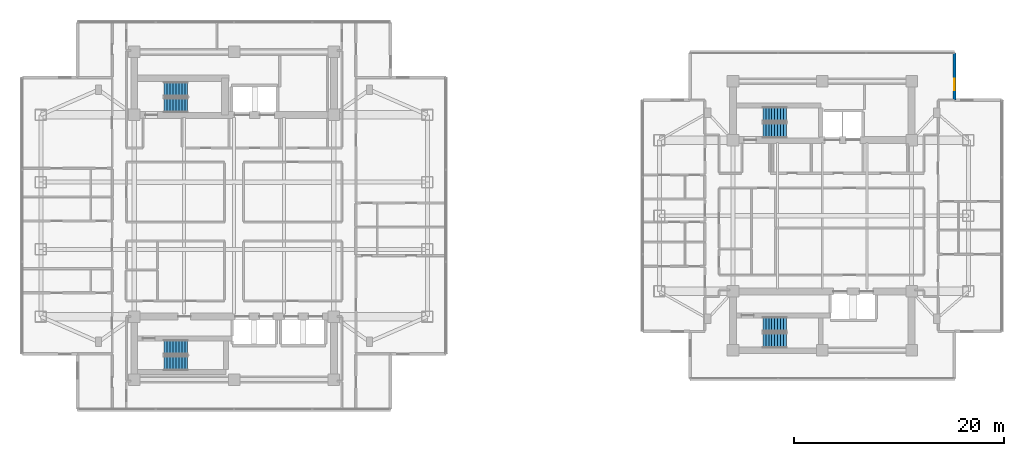
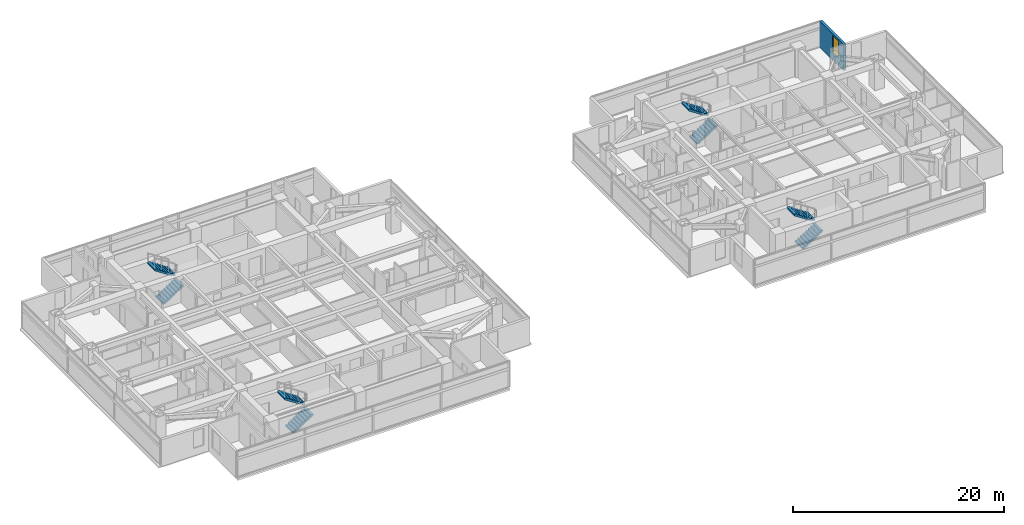
# One storey, part 20 of 26: 8 stair flights, 1 wall, 1 window, 1 opening, 4 elements without a shape of their own.
"""IFC4 building model written with IfcOpenShell, lengths in metres."""

from ifc_helpers import new_model, si_unit, direction, frame, frame_2d, origin, place, context, subcontext, project, spatial, polyline, rectangle, outline, extrude, material, layer, layer_set, type_object, element, fill, aggregate, save


model = new_model("IFC4")

# Units and contexts
model_context = context("Model", 3, precision=1e-05, world=origin(), true_north=direction((0.0, 1.0)))
body_context = subcontext(model_context, "Body", "Model", "MODEL_VIEW")
ifc_project = project(units=[si_unit("LENGTHUNIT", "METRE"), si_unit("AREAUNIT", "SQUARE_METRE"), si_unit("VOLUMEUNIT", "CUBIC_METRE"), si_unit("PLANEANGLEUNIT", "RADIAN"), si_unit("MASSUNIT", "GRAM", prefix="KILO")], contexts=[model_context])

# Site, building, storey
site_placement = place(None, origin())
site = spatial("IfcSite", under=ifc_project, at=site_placement, CompositionType="ELEMENT")
building_placement = place(site_placement, origin())
building = spatial("IfcBuilding", under=site, at=building_placement, Name="Mirazonda Arch Towers", CompositionType="ELEMENT")
storey_placement = place(building_placement, frame((0.0, 0.0, 121.39990234375)))
storey = spatial("IfcBuildingStorey", under=building, at=storey_placement, Name="L34", CompositionType="ELEMENT", Elevation=121.39990234375)

# Wall, opening, window
ifc_material_1 = material(Name="Precast Concrete C40/50", Category="concrete")
ifc_layer = layer(ifc_material_1, 0.280029296875, Name="WALL-EXT-WALL-280")
ifc_layer_set = layer_set([ifc_layer], Name="Precast Concrete C40/50")
wall_type = type_object("IfcWallType", Name="WALL-EXT-WALL-280", PredefinedType="SOLIDWALL", material=ifc_layer_set)
wall_placement = place(storey_placement, frame((89.096435546875, 39.015869140625, 0.0), z_axis=(0.0, 0.0, 1.0), x_axis=(0.0, 1.0, 0.0)))
wall = element("IfcWall", 1, at=wall_placement, inside=storey, type_object=wall_type, Name="L34 T2 Notched NE Corner Wall WL-L34-T2-CNE", PredefinedType="SOLIDWALL", context=body_context, shape_type="SweptSolid", body=[
    extrude(rectangle(XDim=4.486328125, YDim=0.280029296875, at=frame_2d((2.2431640625, 0.0))), origin(), (0.0, 0.0, 1.0), 3.06005859375),
])
opening_placement = place(wall_placement, frame((0.949951171875, 0.0, 0.85009765625)))
opening = element("IfcOpeningElement", 2, at=opening_placement, cuts=wall, Name="Opening WN-108", PredefinedType="OPENING", context=body_context, shape_type="SweptSolid", body=[
    extrude(rectangle(XDim=1.10009765625, YDim=2.0, at=frame_2d((0.550048828125, 1.0))), frame((0.0, 0.14990234375, 0.0), z_axis=(0.0, -1.0, 0.0), x_axis=(1.0, 0.0, 0.0)), (0.0, 0.0, 1.0), 0.300048828125),
])
ifc_material_2 = material(Name="Insulated Low-E Solar Glass", Category="glass")
window_type = type_object("IfcWindowType", Name="WIN-NOTCH-1100x2000", PartitioningType="SINGLE_PANEL", PredefinedType="WINDOW", material=ifc_material_2)
window_placement = place(opening_placement, origin())
window = element("IfcWindow", 3, at=window_placement, inside=storey, type_object=window_type, Name="L34 Punched Facade Window WN-L34-T2-CNE", OverallHeight=2.0, OverallWidth=1.10009765625, PartitioningType="SINGLE_PANEL", PredefinedType="WINDOW", context=body_context, shape_type="SweptSolid", body=[
    extrude(rectangle(XDim=1.10009765625, YDim=2.0, at=frame_2d((0.550048828125, 1.0))), frame((0.0, 0.030029296875, 0.0), z_axis=(0.0, -1.0, 0.0), x_axis=(1.0, 0.0, 0.0)), (0.0, 0.0, 1.0), 0.06005859375),
])
fill(opening, window)

# Stair, stair flights
ifc_material_3 = material(Name="Concrete C40/50", Category="concrete")
stair_type = type_object("IfcStairType", Name="STAIR-CORE-1400", PredefinedType="HALF_TURN_STAIR", material=ifc_material_3)
stair_1_placement = place(storey_placement, origin())
stair_1 = element("IfcStair", 4, at=stair_1_placement, inside=storey, type_object=stair_type, Name="L34 Protected Exit Stair ST-T1N", PredefinedType="HALF_TURN_STAIR")
stair_flight_type = type_object("IfcStairFlightType", Name="FLIGHT-1400", PredefinedType="STRAIGHT", material=ifc_material_3)
stair_flight_1_placement = place(storey_placement, frame((13.85009765625, 38.52001953125, 0.0), z_axis=(0.0, 0.0, 1.0), x_axis=(1.0, 0.0, 0.0)))
stair_flight_1 = element("IfcStairFlight", 5, at=stair_flight_1_placement, type_object=stair_flight_type, Name="ST-T1N flight 1", NumberOfRisers=9, NumberOfTreads=8, PredefinedType="STRAIGHT", RiserHeight=0.183333333, TreadLength=0.28, context=body_context, shape_type="SweptSolid", body=[
    extrude(outline(polyline([(0.0, 0.0), (0.0, 0.183349609375), (0.280029296875, 0.183349609375), (0.280029296875, 0.36669921875), (0.56005859375, 0.36669921875), (0.56005859375, 0.550048828125), (0.840087890625, 0.550048828125), (0.840087890625, 0.7333984375), (1.1201171875, 0.7333984375), (1.1201171875, 0.916748046875), (1.39990234375, 0.916748046875), (1.39990234375, 1.10009765625), (1.679931640625, 1.10009765625), (1.679931640625, 1.283447265625), (1.9599609375, 1.283447265625), (1.9599609375, 1.466552734375), (2.239990234375, 1.466552734375), (2.239990234375, 1.64990234375), (2.239990234375, 1.275634765625), (0.2919921875, 0.0), (0.0, 0.0)])), frame((0.0, 0.699951171875, 0.0), z_axis=(0.0, -1.0, 0.0), x_axis=(1.0, 0.0, 0.0)), (0.0, 0.0, 1.0), 1.39990234375),
])
stair_flight_2_placement = place(storey_placement, frame((16.090087890625, 40.06005859375, 1.650146484375), z_axis=(0.0, 0.0, 1.0), x_axis=(-1.0, 0.0, 0.0)))
stair_flight_2 = element("IfcStairFlight", 6, at=stair_flight_2_placement, type_object=stair_flight_type, Name="ST-T1N flight 2", NumberOfRisers=9, NumberOfTreads=8, PredefinedType="STRAIGHT", RiserHeight=0.183333333, TreadLength=0.28, context=body_context, shape_type="SweptSolid", body=[
    extrude(outline(polyline([(0.0, 0.0), (0.0, 0.183349609375), (0.280029296875, 0.183349609375), (0.280029296875, 0.36669921875), (0.56005859375, 0.36669921875), (0.56005859375, 0.550048828125), (0.840087890625, 0.550048828125), (0.840087890625, 0.7333984375), (1.1201171875, 0.7333984375), (1.1201171875, 0.916748046875), (1.39990234375, 0.916748046875), (1.39990234375, 1.10009765625), (1.679931640625, 1.10009765625), (1.679931640625, 1.283447265625), (1.9599609375, 1.283447265625), (1.9599609375, 1.466552734375), (2.239990234375, 1.466552734375), (2.239990234375, 1.64990234375), (2.239990234375, 1.275634765625), (0.2919921875, 0.0), (0.0, 0.0)])), frame((0.0, 0.699951171875, 0.0), z_axis=(0.0, -1.0, 0.0), x_axis=(1.0, 0.0, 0.0)), (0.0, 0.0, 1.0), 1.39990234375),
])
aggregate(stair_1, [stair_flight_1, stair_flight_2])

stair_2_placement = place(storey_placement, origin())
stair_2 = element("IfcStair", 7, at=stair_2_placement, inside=storey, type_object=stair_type, Name="L34 Protected Exit Stair ST-T1S", PredefinedType="HALF_TURN_STAIR")
stair_flight_3_placement = place(storey_placement, frame((13.85009765625, 13.949951171875, 0.0), z_axis=(0.0, 0.0, 1.0), x_axis=(1.0, 0.0, 0.0)))
stair_flight_3 = element("IfcStairFlight", 8, at=stair_flight_3_placement, type_object=stair_flight_type, Name="ST-T1S flight 1", NumberOfRisers=9, NumberOfTreads=8, PredefinedType="STRAIGHT", RiserHeight=0.183333333, TreadLength=0.28, context=body_context, shape_type="SweptSolid", body=[
    extrude(outline(polyline([(0.0, 0.0), (0.0, 0.183349609375), (0.280029296875, 0.183349609375), (0.280029296875, 0.36669921875), (0.56005859375, 0.36669921875), (0.56005859375, 0.550048828125), (0.840087890625, 0.550048828125), (0.840087890625, 0.7333984375), (1.1201171875, 0.7333984375), (1.1201171875, 0.916748046875), (1.39990234375, 0.916748046875), (1.39990234375, 1.10009765625), (1.679931640625, 1.10009765625), (1.679931640625, 1.283447265625), (1.9599609375, 1.283447265625), (1.9599609375, 1.466552734375), (2.239990234375, 1.466552734375), (2.239990234375, 1.64990234375), (2.239990234375, 1.275634765625), (0.2919921875, 0.0), (0.0, 0.0)])), frame((0.0, 0.699951171875, 0.0), z_axis=(0.0, -1.0, 0.0), x_axis=(1.0, 0.0, 0.0)), (0.0, 0.0, 1.0), 1.39990234375),
])
stair_flight_4_placement = place(storey_placement, frame((16.090087890625, 15.489990234375, 1.650146484375), z_axis=(0.0, 0.0, 1.0), x_axis=(-1.0, 0.0, 0.0)))
stair_flight_4 = element("IfcStairFlight", 9, at=stair_flight_4_placement, type_object=stair_flight_type, Name="ST-T1S flight 2", NumberOfRisers=9, NumberOfTreads=8, PredefinedType="STRAIGHT", RiserHeight=0.183333333, TreadLength=0.28, context=body_context, shape_type="SweptSolid", body=[
    extrude(outline(polyline([(0.0, 0.0), (0.0, 0.183349609375), (0.280029296875, 0.183349609375), (0.280029296875, 0.36669921875), (0.56005859375, 0.36669921875), (0.56005859375, 0.550048828125), (0.840087890625, 0.550048828125), (0.840087890625, 0.7333984375), (1.1201171875, 0.7333984375), (1.1201171875, 0.916748046875), (1.39990234375, 0.916748046875), (1.39990234375, 1.10009765625), (1.679931640625, 1.10009765625), (1.679931640625, 1.283447265625), (1.9599609375, 1.283447265625), (1.9599609375, 1.466552734375), (2.239990234375, 1.466552734375), (2.239990234375, 1.64990234375), (2.239990234375, 1.275634765625), (0.2919921875, 0.0), (0.0, 0.0)])), frame((0.0, 0.699951171875, 0.0), z_axis=(0.0, -1.0, 0.0), x_axis=(1.0, 0.0, 0.0)), (0.0, 0.0, 1.0), 1.39990234375),
])
aggregate(stair_2, [stair_flight_3, stair_flight_4])

stair_3_placement = place(storey_placement, origin())
stair_3 = element("IfcStair", 10, at=stair_3_placement, inside=storey, type_object=stair_type, Name="L34 Protected Exit Stair ST-T2N", PredefinedType="HALF_TURN_STAIR")
stair_flight_5_placement = place(storey_placement, frame((70.85009765625, 36.1201171875, 0.0), z_axis=(0.0, 0.0, 1.0), x_axis=(1.0, 0.0, 0.0)))
stair_flight_5 = element("IfcStairFlight", 11, at=stair_flight_5_placement, type_object=stair_flight_type, Name="ST-T2N flight 1", NumberOfRisers=9, NumberOfTreads=8, PredefinedType="STRAIGHT", RiserHeight=0.183333333, TreadLength=0.28, context=body_context, shape_type="SweptSolid", body=[
    extrude(outline(polyline([(0.0, 0.0), (0.0, 0.183349609375), (0.280029296875, 0.183349609375), (0.280029296875, 0.36669921875), (0.56005859375, 0.36669921875), (0.56005859375, 0.550048828125), (0.840087890625, 0.550048828125), (0.840087890625, 0.7333984375), (1.1201171875, 0.7333984375), (1.1201171875, 0.916748046875), (1.39990234375, 0.916748046875), (1.39990234375, 1.10009765625), (1.679931640625, 1.10009765625), (1.679931640625, 1.283447265625), (1.9599609375, 1.283447265625), (1.9599609375, 1.466552734375), (2.239990234375, 1.466552734375), (2.239990234375, 1.64990234375), (2.239990234375, 1.275634765625), (0.2919921875, 0.0), (0.0, 0.0)])), frame((0.0, 0.699951171875, 0.0), z_axis=(0.0, -1.0, 0.0), x_axis=(1.0, 0.0, 0.0)), (0.0, 0.0, 1.0), 1.39990234375),
])
stair_flight_6_placement = place(storey_placement, frame((73.090087890625, 37.659912109375, 1.650146484375), z_axis=(0.0, 0.0, 1.0), x_axis=(-1.0, 0.0, 0.0)))
stair_flight_6 = element("IfcStairFlight", 12, at=stair_flight_6_placement, type_object=stair_flight_type, Name="ST-T2N flight 2", NumberOfRisers=9, NumberOfTreads=8, PredefinedType="STRAIGHT", RiserHeight=0.183333333, TreadLength=0.28, context=body_context, shape_type="SweptSolid", body=[
    extrude(outline(polyline([(0.0, 0.0), (0.0, 0.183349609375), (0.280029296875, 0.183349609375), (0.280029296875, 0.36669921875), (0.56005859375, 0.36669921875), (0.56005859375, 0.550048828125), (0.840087890625, 0.550048828125), (0.840087890625, 0.7333984375), (1.1201171875, 0.7333984375), (1.1201171875, 0.916748046875), (1.39990234375, 0.916748046875), (1.39990234375, 1.10009765625), (1.679931640625, 1.10009765625), (1.679931640625, 1.283447265625), (1.9599609375, 1.283447265625), (1.9599609375, 1.466552734375), (2.239990234375, 1.466552734375), (2.239990234375, 1.64990234375), (2.239990234375, 1.275634765625), (0.2919921875, 0.0), (0.0, 0.0)])), frame((0.0, 0.699951171875, 0.0), z_axis=(0.0, -1.0, 0.0), x_axis=(1.0, 0.0, 0.0)), (0.0, 0.0, 1.0), 1.39990234375),
])
aggregate(stair_3, [stair_flight_5, stair_flight_6])

stair_4_placement = place(storey_placement, origin())
stair_4 = element("IfcStair", 13, at=stair_4_placement, inside=storey, type_object=stair_type, Name="L34 Protected Exit Stair ST-T2S", PredefinedType="HALF_TURN_STAIR")
stair_flight_7_placement = place(storey_placement, frame((70.85009765625, 16.1201171875, 0.0), z_axis=(0.0, 0.0, 1.0), x_axis=(1.0, 0.0, 0.0)))
stair_flight_7 = element("IfcStairFlight", 14, at=stair_flight_7_placement, type_object=stair_flight_type, Name="ST-T2S flight 1", NumberOfRisers=9, NumberOfTreads=8, PredefinedType="STRAIGHT", RiserHeight=0.183333333, TreadLength=0.28, context=body_context, shape_type="SweptSolid", body=[
    extrude(outline(polyline([(0.0, 0.0), (0.0, 0.183349609375), (0.280029296875, 0.183349609375), (0.280029296875, 0.36669921875), (0.56005859375, 0.36669921875), (0.56005859375, 0.550048828125), (0.840087890625, 0.550048828125), (0.840087890625, 0.7333984375), (1.1201171875, 0.7333984375), (1.1201171875, 0.916748046875), (1.39990234375, 0.916748046875), (1.39990234375, 1.10009765625), (1.679931640625, 1.10009765625), (1.679931640625, 1.283447265625), (1.9599609375, 1.283447265625), (1.9599609375, 1.466552734375), (2.239990234375, 1.466552734375), (2.239990234375, 1.64990234375), (2.239990234375, 1.275634765625), (0.2919921875, 0.0), (0.0, 0.0)])), frame((0.0, 0.699951171875, 0.0), z_axis=(0.0, -1.0, 0.0), x_axis=(1.0, 0.0, 0.0)), (0.0, 0.0, 1.0), 1.39990234375),
])
stair_flight_8_placement = place(storey_placement, frame((73.090087890625, 17.659912109375, 1.650146484375), z_axis=(0.0, 0.0, 1.0), x_axis=(-1.0, 0.0, 0.0)))
stair_flight_8 = element("IfcStairFlight", 15, at=stair_flight_8_placement, type_object=stair_flight_type, Name="ST-T2S flight 2", NumberOfRisers=9, NumberOfTreads=8, PredefinedType="STRAIGHT", RiserHeight=0.183333333, TreadLength=0.28, context=body_context, shape_type="SweptSolid", body=[
    extrude(outline(polyline([(0.0, 0.0), (0.0, 0.183349609375), (0.280029296875, 0.183349609375), (0.280029296875, 0.36669921875), (0.56005859375, 0.36669921875), (0.56005859375, 0.550048828125), (0.840087890625, 0.550048828125), (0.840087890625, 0.7333984375), (1.1201171875, 0.7333984375), (1.1201171875, 0.916748046875), (1.39990234375, 0.916748046875), (1.39990234375, 1.10009765625), (1.679931640625, 1.10009765625), (1.679931640625, 1.283447265625), (1.9599609375, 1.283447265625), (1.9599609375, 1.466552734375), (2.239990234375, 1.466552734375), (2.239990234375, 1.64990234375), (2.239990234375, 1.275634765625), (0.2919921875, 0.0), (0.0, 0.0)])), frame((0.0, 0.699951171875, 0.0), z_axis=(0.0, -1.0, 0.0), x_axis=(1.0, 0.0, 0.0)), (0.0, 0.0, 1.0), 1.39990234375),
])
aggregate(stair_4, [stair_flight_7, stair_flight_8])

save(model, "model.ifc")
